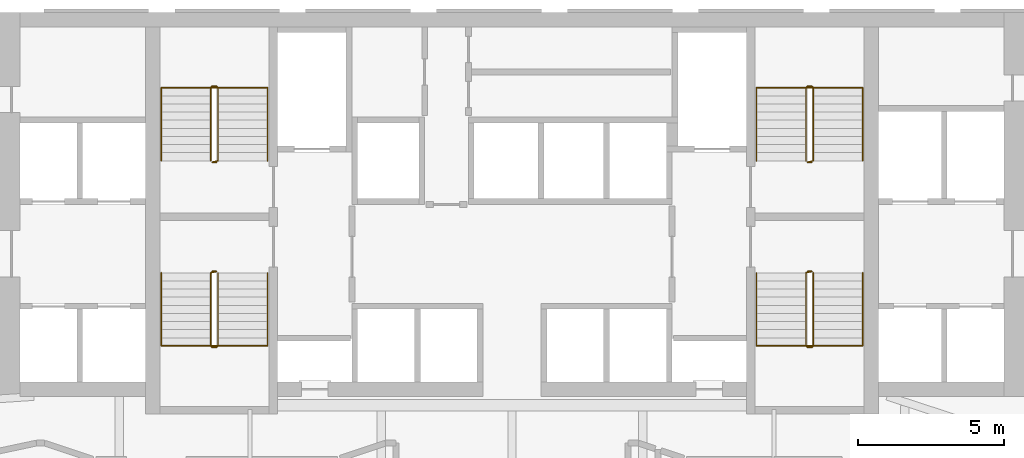
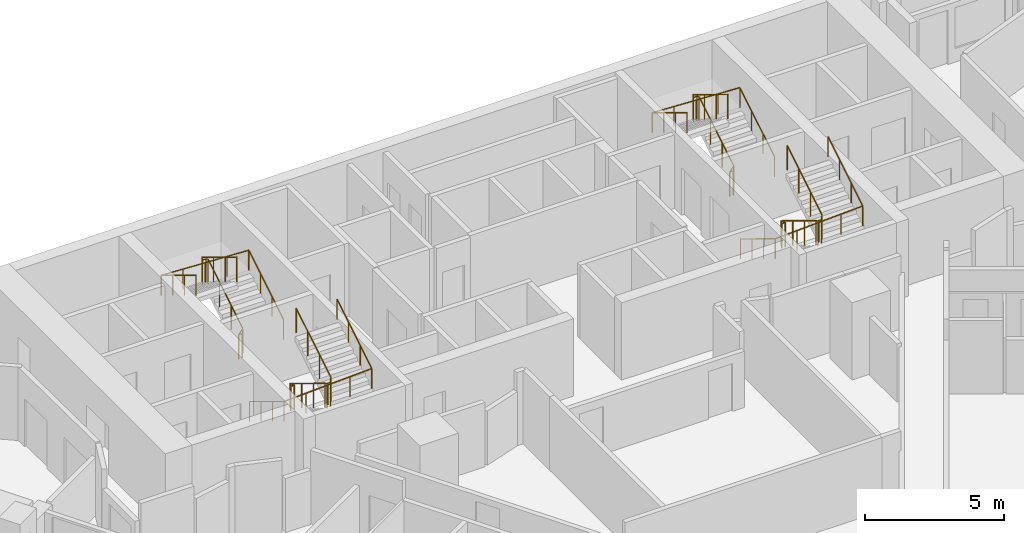
# One storey, part 10 of 10: 8 railings.
"""IFC4 building model written with IfcOpenShell, lengths in metres."""

from ifc_helpers import new_model, si_unit, direction, frame, origin, origin_2d, place, context, subcontext, project, spatial, circle, extrude, material, type_object, element, save


model = new_model("IFC4")

# Units and contexts
model_context = context("Model", 3, precision=1e-05, world=origin(), true_north=direction((0.0, 1.0)))
body_context = subcontext(model_context, "Body", "Model", "MODEL_VIEW")
ifc_project = project(units=[si_unit("LENGTHUNIT", "METRE"), si_unit("AREAUNIT", "SQUARE_METRE"), si_unit("VOLUMEUNIT", "CUBIC_METRE"), si_unit("PLANEANGLEUNIT", "RADIAN"), si_unit("MASSUNIT", "GRAM", prefix="KILO")], contexts=[model_context])

# Site, building, storey
site_placement = place(None, origin())
site = spatial("IfcSite", under=ifc_project, at=site_placement, CompositionType="ELEMENT")
building_placement = place(site_placement, origin())
building = spatial("IfcBuilding", under=site, at=building_placement, Name="Calabash Gate Tower", CompositionType="ELEMENT")
storey_placement = place(building_placement, frame((0.0, 0.0, 59.60009765625)))
storey = spatial("IfcBuildingStorey", under=building, at=storey_placement, Name="L10", CompositionType="ELEMENT", Elevation=59.60009765625)

# Railings
ifc_material_1 = material(Name="Black powder-coated steel balusters", Category="steel")
railing_type_1 = type_object("IfcRailingType", Name="Stair guard RL1100", PredefinedType="GUARDRAIL", material=ifc_material_1)
railing_1_placement = place(storey_placement, frame((-10.14990234375, 13.902587890625, 0.0)))
element("IfcRailing", 1, at=railing_1_placement, inside=storey, type_object=railing_type_1, Name="L10 ST1 stair guard 1", PredefinedType="GUARDRAIL", context=body_context, shape_type="SweptSolid", body=[
    extrude(circle(Radius=0.02392578125, at=origin_2d()), frame((0.0, 0.0, 1.076171875), z_axis=(-1.0, 0.0, 0.0), x_axis=(0.0, -1.0, 0.0)), (0.0, 0.0, 1.0), 0.150146484375),
    extrude(circle(Radius=0.02392578125, at=origin_2d()), frame((-0.150146484375, 0.0, 1.076171875), z_axis=(0.748514443355, 0.187357095101, 0.636100186295), x_axis=(-0.242814311512, 0.970072785993, 0.0)), (0.0, 0.0, 1.0), 0.26708984375),
    extrude(circle(Radius=0.02392578125, at=origin_2d()), frame((0.0498046875, 0.050048828125, 1.24609375), z_axis=(0.0, 0.853956361026, 0.520344629514), x_axis=(-1.0, 0.0, 0.0)), (0.0, 0.0, 1.0), 2.9404296875),
    extrude(circle(Radius=0.02392578125, at=origin_2d()), frame((0.0498046875, 2.56103515625, 2.77587890625), z_axis=(-0.705375805398, 0.708833529934, 0.0), x_axis=(-0.708833529934, -0.705375805398, 0.0)), (0.0, 0.0, 1.0), 0.070556640625),
    extrude(circle(Radius=0.02392578125, at=origin_2d()), frame((0.0, 2.611083984375, 2.77587890625), z_axis=(-1.0, 0.0, 0.0), x_axis=(0.0, -1.0, 0.0)), (0.0, 0.0, 1.0), 0.150146484375),
    extrude(circle(Radius=0.02392578125, at=origin_2d()), frame((-0.150146484375, 2.611083984375, 2.77587890625), z_axis=(-0.271895245746, -0.271895245746, 0.923117517265), x_axis=(0.707106781187, -0.707106781187, 0.0)), (0.0, 0.0, 1.0), 0.18408203125),
    extrude(circle(Radius=0.02392578125, at=origin_2d()), frame((-0.2001953125, 2.56103515625, 2.94580078125), z_axis=(0.0, -0.853956361026, 0.520344629514), x_axis=(1.0, 0.0, 0.0)), (0.0, 0.0, 1.0), 2.9404296875),
    extrude(circle(Radius=0.02099609375, at=origin_2d()), origin(), (0.0, 0.0, 1.0), 1.052001953125),
    extrude(circle(Radius=0.02099609375, at=origin_2d()), frame((-0.150146484375, 0.0, 0.0)), (0.0, 0.0, 1.0), 1.052001953125),
    extrude(circle(Radius=0.02099609375, at=origin_2d()), frame((0.0498046875, 0.050048828125, 0.169921875)), (0.0, 0.0, 1.0), 1.052001953125),
    extrude(circle(Radius=0.02099609375, at=origin_2d()), frame((0.0498046875, 0.886962890625, 0.679931640625)), (0.0, 0.0, 1.0), 1.052001953125),
    extrude(circle(Radius=0.02099609375, at=origin_2d()), frame((0.0498046875, 1.72412109375, 1.18994140625)), (0.0, 0.0, 1.0), 1.052001953125),
    extrude(circle(Radius=0.02099609375, at=origin_2d()), frame((0.0498046875, 2.56103515625, 1.699951171875)), (0.0, 0.0, 1.0), 1.052001953125),
    extrude(circle(Radius=0.02099609375, at=origin_2d()), frame((0.0, 2.611083984375, 1.699951171875)), (0.0, 0.0, 1.0), 1.052001953125),
    extrude(circle(Radius=0.02099609375, at=origin_2d()), frame((-0.150146484375, 2.611083984375, 1.699951171875)), (0.0, 0.0, 1.0), 1.052001953125),
    extrude(circle(Radius=0.02099609375, at=origin_2d()), frame((-0.2001953125, 2.56103515625, 1.869873046875)), (0.0, 0.0, 1.0), 1.052001953125),
    extrude(circle(Radius=0.02099609375, at=origin_2d()), frame((-0.2001953125, 1.72412109375, 2.3798828125)), (0.0, 0.0, 1.0), 1.052001953125),
    extrude(circle(Radius=0.02099609375, at=origin_2d()), frame((-0.2001953125, 0.886962890625, 2.889892578125)), (0.0, 0.0, 1.0), 1.052001953125),
    extrude(circle(Radius=0.02099609375, at=origin_2d()), frame((-0.2001953125, 0.050048828125, 3.39990234375)), (0.0, 0.0, 1.0), 1.052001953125),
])
railing_2_placement = place(storey_placement, frame((-10.300048828125, 10.152587890625, 0.0)))
element("IfcRailing", 2, at=railing_2_placement, inside=storey, type_object=railing_type_1, Name="L10 ST2 stair guard 1", PredefinedType="GUARDRAIL", context=body_context, shape_type="SweptSolid", body=[
    extrude(circle(Radius=0.02392578125, at=origin_2d()), frame((0.0, 0.0, 1.076171875), z_axis=(1.0, 0.0, 0.0), x_axis=(0.0, 1.0, 0.0)), (0.0, 0.0, 1.0), 0.150146484375),
    extrude(circle(Radius=0.02392578125, at=origin_2d()), frame((0.150146484375, 0.0, 1.076171875), z_axis=(-0.748915913269, -0.187228978317, 0.635665214189), x_axis=(0.242535625036, -0.970142500145, 0.0)), (0.0, 0.0, 1.0), 0.267333984375),
    extrude(circle(Radius=0.02392578125, at=origin_2d()), frame((-0.050048828125, -0.050048828125, 1.24609375), z_axis=(0.0, -0.853956361026, 0.520344629514), x_axis=(1.0, 0.0, 0.0)), (0.0, 0.0, 1.0), 2.9404296875),
    extrude(circle(Radius=0.02392578125, at=origin_2d()), frame((-0.050048828125, -2.56103515625, 2.77587890625), z_axis=(0.707106781187, -0.707106781187, 0.0), x_axis=(0.707106781187, 0.707106781187, 0.0)), (0.0, 0.0, 1.0), 0.07080078125),
    extrude(circle(Radius=0.02392578125, at=origin_2d()), frame((0.0, -2.611083984375, 2.77587890625), z_axis=(1.0, 0.0, 0.0), x_axis=(0.0, 1.0, 0.0)), (0.0, 0.0, 1.0), 0.150146484375),
    extrude(circle(Radius=0.02392578125, at=origin_2d()), frame((0.150146484375, -2.611083984375, 2.77587890625), z_axis=(0.270666314514, 0.271993110173, 0.92344977893), x_axis=(-0.708833529934, 0.705375805398, 0.0)), (0.0, 0.0, 1.0), 0.18408203125),
    extrude(circle(Radius=0.02392578125, at=origin_2d()), frame((0.199951171875, -2.56103515625, 2.94580078125), z_axis=(0.0, 0.853956361026, 0.520344629514), x_axis=(-1.0, 0.0, 0.0)), (0.0, 0.0, 1.0), 2.9404296875),
    extrude(circle(Radius=0.02099609375, at=origin_2d()), origin(), (0.0, 0.0, 1.0), 1.052001953125),
    extrude(circle(Radius=0.02099609375, at=origin_2d()), frame((0.150146484375, 0.0, 0.0)), (0.0, 0.0, 1.0), 1.052001953125),
    extrude(circle(Radius=0.02099609375, at=origin_2d()), frame((-0.050048828125, -0.050048828125, 0.169921875)), (0.0, 0.0, 1.0), 1.052001953125),
    extrude(circle(Radius=0.02099609375, at=origin_2d()), frame((-0.050048828125, -0.886962890625, 0.679931640625)), (0.0, 0.0, 1.0), 1.052001953125),
    extrude(circle(Radius=0.02099609375, at=origin_2d()), frame((-0.050048828125, -1.72412109375, 1.18994140625)), (0.0, 0.0, 1.0), 1.052001953125),
    extrude(circle(Radius=0.02099609375, at=origin_2d()), frame((-0.050048828125, -2.56103515625, 1.699951171875)), (0.0, 0.0, 1.0), 1.052001953125),
    extrude(circle(Radius=0.02099609375, at=origin_2d()), frame((0.0, -2.611083984375, 1.699951171875)), (0.0, 0.0, 1.0), 1.052001953125),
    extrude(circle(Radius=0.02099609375, at=origin_2d()), frame((0.150146484375, -2.611083984375, 1.699951171875)), (0.0, 0.0, 1.0), 1.052001953125),
    extrude(circle(Radius=0.02099609375, at=origin_2d()), frame((0.199951171875, -2.56103515625, 1.869873046875)), (0.0, 0.0, 1.0), 1.052001953125),
    extrude(circle(Radius=0.02099609375, at=origin_2d()), frame((0.199951171875, -1.72412109375, 2.3798828125)), (0.0, 0.0, 1.0), 1.052001953125),
    extrude(circle(Radius=0.02099609375, at=origin_2d()), frame((0.199951171875, -0.886962890625, 2.889892578125)), (0.0, 0.0, 1.0), 1.052001953125),
    extrude(circle(Radius=0.02099609375, at=origin_2d()), frame((0.199951171875, -0.050048828125, 3.39990234375)), (0.0, 0.0, 1.0), 1.052001953125),
])
railing_3_placement = place(storey_placement, frame((10.300048828125, 13.902587890625, 0.0)))
element("IfcRailing", 3, at=railing_3_placement, inside=storey, type_object=railing_type_1, Name="L10 ST3 stair guard 1", PredefinedType="GUARDRAIL", context=body_context, shape_type="SweptSolid", body=[
    extrude(circle(Radius=0.02392578125, at=origin_2d()), frame((0.0, 0.0, 1.076171875), z_axis=(-1.0, 0.0, 0.0), x_axis=(0.0, -1.0, 0.0)), (0.0, 0.0, 1.0), 0.150146484375),
    extrude(circle(Radius=0.02392578125, at=origin_2d()), frame((-0.150146484375, 0.0, 1.076171875), z_axis=(0.748915913269, 0.187228978317, 0.635665214189), x_axis=(-0.242535625036, 0.970142500145, 0.0)), (0.0, 0.0, 1.0), 0.267333984375),
    extrude(circle(Radius=0.02392578125, at=origin_2d()), frame((0.050048828125, 0.050048828125, 1.24609375), z_axis=(0.0, 0.853956361026, 0.520344629514), x_axis=(-1.0, 0.0, 0.0)), (0.0, 0.0, 1.0), 2.9404296875),
    extrude(circle(Radius=0.02392578125, at=origin_2d()), frame((0.050048828125, 2.56103515625, 2.77587890625), z_axis=(-0.707106781187, 0.707106781187, 0.0), x_axis=(-0.707106781187, -0.707106781187, 0.0)), (0.0, 0.0, 1.0), 0.07080078125),
    extrude(circle(Radius=0.02392578125, at=origin_2d()), frame((0.0, 2.611083984375, 2.77587890625), z_axis=(-1.0, 0.0, 0.0), x_axis=(0.0, -1.0, 0.0)), (0.0, 0.0, 1.0), 0.150146484375),
    extrude(circle(Radius=0.02392578125, at=origin_2d()), frame((-0.150146484375, 2.611083984375, 2.77587890625), z_axis=(-0.270666314514, -0.271993110173, 0.92344977893), x_axis=(0.708833529934, -0.705375805398, 0.0)), (0.0, 0.0, 1.0), 0.18408203125),
    extrude(circle(Radius=0.02392578125, at=origin_2d()), frame((-0.199951171875, 2.56103515625, 2.94580078125), z_axis=(0.0, -0.853956361026, 0.520344629514), x_axis=(1.0, 0.0, 0.0)), (0.0, 0.0, 1.0), 2.9404296875),
    extrude(circle(Radius=0.02099609375, at=origin_2d()), origin(), (0.0, 0.0, 1.0), 1.052001953125),
    extrude(circle(Radius=0.02099609375, at=origin_2d()), frame((-0.150146484375, 0.0, 0.0)), (0.0, 0.0, 1.0), 1.052001953125),
    extrude(circle(Radius=0.02099609375, at=origin_2d()), frame((0.050048828125, 0.050048828125, 0.169921875)), (0.0, 0.0, 1.0), 1.052001953125),
    extrude(circle(Radius=0.02099609375, at=origin_2d()), frame((0.050048828125, 0.886962890625, 0.679931640625)), (0.0, 0.0, 1.0), 1.052001953125),
    extrude(circle(Radius=0.02099609375, at=origin_2d()), frame((0.050048828125, 1.72412109375, 1.18994140625)), (0.0, 0.0, 1.0), 1.052001953125),
    extrude(circle(Radius=0.02099609375, at=origin_2d()), frame((0.050048828125, 2.56103515625, 1.699951171875)), (0.0, 0.0, 1.0), 1.052001953125),
    extrude(circle(Radius=0.02099609375, at=origin_2d()), frame((0.0, 2.611083984375, 1.699951171875)), (0.0, 0.0, 1.0), 1.052001953125),
    extrude(circle(Radius=0.02099609375, at=origin_2d()), frame((-0.150146484375, 2.611083984375, 1.699951171875)), (0.0, 0.0, 1.0), 1.052001953125),
    extrude(circle(Radius=0.02099609375, at=origin_2d()), frame((-0.199951171875, 2.56103515625, 1.869873046875)), (0.0, 0.0, 1.0), 1.052001953125),
    extrude(circle(Radius=0.02099609375, at=origin_2d()), frame((-0.199951171875, 1.72412109375, 2.3798828125)), (0.0, 0.0, 1.0), 1.052001953125),
    extrude(circle(Radius=0.02099609375, at=origin_2d()), frame((-0.199951171875, 0.886962890625, 2.889892578125)), (0.0, 0.0, 1.0), 1.052001953125),
    extrude(circle(Radius=0.02099609375, at=origin_2d()), frame((-0.199951171875, 0.050048828125, 3.39990234375)), (0.0, 0.0, 1.0), 1.052001953125),
])
railing_4_placement = place(storey_placement, frame((10.14990234375, 10.152587890625, 0.0)))
element("IfcRailing", 4, at=railing_4_placement, inside=storey, type_object=railing_type_1, Name="L10 ST4 stair guard 1", PredefinedType="GUARDRAIL", context=body_context, shape_type="SweptSolid", body=[
    extrude(circle(Radius=0.02392578125, at=origin_2d()), frame((0.0, 0.0, 1.076171875), z_axis=(1.0, 0.0, 0.0), x_axis=(0.0, 1.0, 0.0)), (0.0, 0.0, 1.0), 0.150146484375),
    extrude(circle(Radius=0.02392578125, at=origin_2d()), frame((0.150146484375, 0.0, 1.076171875), z_axis=(-0.748514443355, -0.187357095101, 0.636100186295), x_axis=(0.242814311512, -0.970072785993, 0.0)), (0.0, 0.0, 1.0), 0.26708984375),
    extrude(circle(Radius=0.02392578125, at=origin_2d()), frame((-0.0498046875, -0.050048828125, 1.24609375), z_axis=(0.0, -0.853956361026, 0.520344629514), x_axis=(1.0, 0.0, 0.0)), (0.0, 0.0, 1.0), 2.9404296875),
    extrude(circle(Radius=0.02392578125, at=origin_2d()), frame((-0.0498046875, -2.56103515625, 2.77587890625), z_axis=(0.705375805398, -0.708833529934, 0.0), x_axis=(0.708833529934, 0.705375805398, 0.0)), (0.0, 0.0, 1.0), 0.070556640625),
    extrude(circle(Radius=0.02392578125, at=origin_2d()), frame((0.0, -2.611083984375, 2.77587890625), z_axis=(1.0, 0.0, 0.0), x_axis=(0.0, 1.0, 0.0)), (0.0, 0.0, 1.0), 0.150146484375),
    extrude(circle(Radius=0.02392578125, at=origin_2d()), frame((0.150146484375, -2.611083984375, 2.77587890625), z_axis=(0.271895245746, 0.271895245746, 0.923117517265), x_axis=(-0.707106781187, 0.707106781187, 0.0)), (0.0, 0.0, 1.0), 0.18408203125),
    extrude(circle(Radius=0.02392578125, at=origin_2d()), frame((0.2001953125, -2.56103515625, 2.94580078125), z_axis=(0.0, 0.853956361026, 0.520344629514), x_axis=(-1.0, 0.0, 0.0)), (0.0, 0.0, 1.0), 2.9404296875),
    extrude(circle(Radius=0.02099609375, at=origin_2d()), origin(), (0.0, 0.0, 1.0), 1.052001953125),
    extrude(circle(Radius=0.02099609375, at=origin_2d()), frame((0.150146484375, 0.0, 0.0)), (0.0, 0.0, 1.0), 1.052001953125),
    extrude(circle(Radius=0.02099609375, at=origin_2d()), frame((-0.0498046875, -0.050048828125, 0.169921875)), (0.0, 0.0, 1.0), 1.052001953125),
    extrude(circle(Radius=0.02099609375, at=origin_2d()), frame((-0.0498046875, -0.886962890625, 0.679931640625)), (0.0, 0.0, 1.0), 1.052001953125),
    extrude(circle(Radius=0.02099609375, at=origin_2d()), frame((-0.0498046875, -1.72412109375, 1.18994140625)), (0.0, 0.0, 1.0), 1.052001953125),
    extrude(circle(Radius=0.02099609375, at=origin_2d()), frame((-0.0498046875, -2.56103515625, 1.699951171875)), (0.0, 0.0, 1.0), 1.052001953125),
    extrude(circle(Radius=0.02099609375, at=origin_2d()), frame((0.0, -2.611083984375, 1.699951171875)), (0.0, 0.0, 1.0), 1.052001953125),
    extrude(circle(Radius=0.02099609375, at=origin_2d()), frame((0.150146484375, -2.611083984375, 1.699951171875)), (0.0, 0.0, 1.0), 1.052001953125),
    extrude(circle(Radius=0.02099609375, at=origin_2d()), frame((0.2001953125, -2.56103515625, 1.869873046875)), (0.0, 0.0, 1.0), 1.052001953125),
    extrude(circle(Radius=0.02099609375, at=origin_2d()), frame((0.2001953125, -1.72412109375, 2.3798828125)), (0.0, 0.0, 1.0), 1.052001953125),
    extrude(circle(Radius=0.02099609375, at=origin_2d()), frame((0.2001953125, -0.886962890625, 2.889892578125)), (0.0, 0.0, 1.0), 1.052001953125),
    extrude(circle(Radius=0.02099609375, at=origin_2d()), frame((0.2001953125, -0.050048828125, 3.39990234375)), (0.0, 0.0, 1.0), 1.052001953125),
])
ifc_material_2 = material(Name="Black powder-coated steel tube 48 mm", Category="steel")
railing_type_2 = type_object("IfcRailingType", Name="Stair handrail RL900", PredefinedType="HANDRAIL", material=ifc_material_2)
railing_5_placement = place(storey_placement, frame((-8.39990234375, 13.95263671875, 0.169921875)))
element("IfcRailing", 5, at=railing_5_placement, inside=storey, type_object=railing_type_2, Name="L10 ST1 stair handrail 1", PredefinedType="HANDRAIL", context=body_context, shape_type="SweptSolid", body=[
    extrude(circle(Radius=0.02392578125, at=origin_2d()), frame((0.0, 0.0, 0.8759765625), z_axis=(0.0, 0.853956361026, 0.520344629514), x_axis=(-1.0, 0.0, 0.0)), (0.0, 0.0, 1.0), 2.9404296875),
    extrude(circle(Radius=0.02392578125, at=origin_2d()), frame((0.0, 2.510986328125, 2.40576171875), z_axis=(-0.998918210324, 0.0, 0.046501710547), x_axis=(0.0, -1.0, 0.0)), (0.0, 0.0, 1.0), 3.654052734375),
    extrude(circle(Radius=0.02392578125, at=origin_2d()), frame((-3.650146484375, 2.510986328125, 2.57568359375), z_axis=(0.0, -0.853956361026, 0.520344629514), x_axis=(1.0, 0.0, 0.0)), (0.0, 0.0, 1.0), 2.9404296875),
    extrude(circle(Radius=0.02099609375, at=origin_2d()), origin(), (0.0, 0.0, 1.0), 0.851806640625),
    extrude(circle(Radius=0.02099609375, at=origin_2d()), frame((0.0, 0.8369140625, 0.510009765625)), (0.0, 0.0, 1.0), 0.851806640625),
    extrude(circle(Radius=0.02099609375, at=origin_2d()), frame((0.0, 1.674072265625, 1.02001953125)), (0.0, 0.0, 1.0), 0.851806640625),
    extrude(circle(Radius=0.02099609375, at=origin_2d()), frame((0.0, 2.510986328125, 1.530029296875)), (0.0, 0.0, 1.0), 0.851806640625),
    extrude(circle(Radius=0.02099609375, at=origin_2d()), frame((-0.91259765625, 2.510986328125, 1.572509765625)), (0.0, 0.0, 1.0), 0.851806640625),
    extrude(circle(Radius=0.02099609375, at=origin_2d()), frame((-1.8251953125, 2.510986328125, 1.614990234375)), (0.0, 0.0, 1.0), 0.851806640625),
    extrude(circle(Radius=0.02099609375, at=origin_2d()), frame((-2.737548828125, 2.510986328125, 1.657470703125)), (0.0, 0.0, 1.0), 0.851806640625),
    extrude(circle(Radius=0.02099609375, at=origin_2d()), frame((-3.650146484375, 2.510986328125, 1.699951171875)), (0.0, 0.0, 1.0), 0.851806640625),
    extrude(circle(Radius=0.02099609375, at=origin_2d()), frame((-3.650146484375, 1.674072265625, 2.2099609375)), (0.0, 0.0, 1.0), 0.851806640625),
    extrude(circle(Radius=0.02099609375, at=origin_2d()), frame((-3.650146484375, 0.8369140625, 2.719970703125)), (0.0, 0.0, 1.0), 0.851806640625),
    extrude(circle(Radius=0.02099609375, at=origin_2d()), frame((-3.650146484375, 0.0, 3.22998046875)), (0.0, 0.0, 1.0), 0.851806640625),
])
railing_6_placement = place(storey_placement, frame((-12.050048828125, 10.1025390625, 0.169921875)))
element("IfcRailing", 6, at=railing_6_placement, inside=storey, type_object=railing_type_2, Name="L10 ST2 stair handrail 1", PredefinedType="HANDRAIL", context=body_context, shape_type="SweptSolid", body=[
    extrude(circle(Radius=0.02392578125, at=origin_2d()), frame((0.0, 0.0, 0.8759765625), z_axis=(0.0, -0.853956361026, 0.520344629514), x_axis=(1.0, 0.0, 0.0)), (0.0, 0.0, 1.0), 2.9404296875),
    extrude(circle(Radius=0.02392578125, at=origin_2d()), frame((0.0, -2.510986328125, 2.40576171875), z_axis=(0.998918210324, 0.0, 0.046501710547), x_axis=(0.0, 1.0, 0.0)), (0.0, 0.0, 1.0), 3.654052734375),
    extrude(circle(Radius=0.02392578125, at=origin_2d()), frame((3.650146484375, -2.510986328125, 2.57568359375), z_axis=(0.0, 0.853956361026, 0.520344629514), x_axis=(-1.0, 0.0, 0.0)), (0.0, 0.0, 1.0), 2.9404296875),
    extrude(circle(Radius=0.02099609375, at=origin_2d()), origin(), (0.0, 0.0, 1.0), 0.851806640625),
    extrude(circle(Radius=0.02099609375, at=origin_2d()), frame((0.0, -0.8369140625, 0.510009765625)), (0.0, 0.0, 1.0), 0.851806640625),
    extrude(circle(Radius=0.02099609375, at=origin_2d()), frame((0.0, -1.674072265625, 1.02001953125)), (0.0, 0.0, 1.0), 0.851806640625),
    extrude(circle(Radius=0.02099609375, at=origin_2d()), frame((0.0, -2.510986328125, 1.530029296875)), (0.0, 0.0, 1.0), 0.851806640625),
    extrude(circle(Radius=0.02099609375, at=origin_2d()), frame((0.91259765625, -2.510986328125, 1.572509765625)), (0.0, 0.0, 1.0), 0.851806640625),
    extrude(circle(Radius=0.02099609375, at=origin_2d()), frame((1.8251953125, -2.510986328125, 1.614990234375)), (0.0, 0.0, 1.0), 0.851806640625),
    extrude(circle(Radius=0.02099609375, at=origin_2d()), frame((2.737548828125, -2.510986328125, 1.657470703125)), (0.0, 0.0, 1.0), 0.851806640625),
    extrude(circle(Radius=0.02099609375, at=origin_2d()), frame((3.650146484375, -2.510986328125, 1.699951171875)), (0.0, 0.0, 1.0), 0.851806640625),
    extrude(circle(Radius=0.02099609375, at=origin_2d()), frame((3.650146484375, -1.674072265625, 2.2099609375)), (0.0, 0.0, 1.0), 0.851806640625),
    extrude(circle(Radius=0.02099609375, at=origin_2d()), frame((3.650146484375, -0.8369140625, 2.719970703125)), (0.0, 0.0, 1.0), 0.851806640625),
    extrude(circle(Radius=0.02099609375, at=origin_2d()), frame((3.650146484375, 0.0, 3.22998046875)), (0.0, 0.0, 1.0), 0.851806640625),
])
railing_7_placement = place(storey_placement, frame((12.050048828125, 13.95263671875, 0.169921875)))
element("IfcRailing", 7, at=railing_7_placement, inside=storey, type_object=railing_type_2, Name="L10 ST3 stair handrail 1", PredefinedType="HANDRAIL", context=body_context, shape_type="SweptSolid", body=[
    extrude(circle(Radius=0.02392578125, at=origin_2d()), frame((0.0, 0.0, 0.8759765625), z_axis=(0.0, 0.853956361026, 0.520344629514), x_axis=(-1.0, 0.0, 0.0)), (0.0, 0.0, 1.0), 2.9404296875),
    extrude(circle(Radius=0.02392578125, at=origin_2d()), frame((0.0, 2.510986328125, 2.40576171875), z_axis=(-0.998918210324, 0.0, 0.046501710547), x_axis=(0.0, -1.0, 0.0)), (0.0, 0.0, 1.0), 3.654052734375),
    extrude(circle(Radius=0.02392578125, at=origin_2d()), frame((-3.650146484375, 2.510986328125, 2.57568359375), z_axis=(0.0, -0.853956361026, 0.520344629514), x_axis=(1.0, 0.0, 0.0)), (0.0, 0.0, 1.0), 2.9404296875),
    extrude(circle(Radius=0.02099609375, at=origin_2d()), origin(), (0.0, 0.0, 1.0), 0.851806640625),
    extrude(circle(Radius=0.02099609375, at=origin_2d()), frame((0.0, 0.8369140625, 0.510009765625)), (0.0, 0.0, 1.0), 0.851806640625),
    extrude(circle(Radius=0.02099609375, at=origin_2d()), frame((0.0, 1.674072265625, 1.02001953125)), (0.0, 0.0, 1.0), 0.851806640625),
    extrude(circle(Radius=0.02099609375, at=origin_2d()), frame((0.0, 2.510986328125, 1.530029296875)), (0.0, 0.0, 1.0), 0.851806640625),
    extrude(circle(Radius=0.02099609375, at=origin_2d()), frame((-0.91259765625, 2.510986328125, 1.572509765625)), (0.0, 0.0, 1.0), 0.851806640625),
    extrude(circle(Radius=0.02099609375, at=origin_2d()), frame((-1.8251953125, 2.510986328125, 1.614990234375)), (0.0, 0.0, 1.0), 0.851806640625),
    extrude(circle(Radius=0.02099609375, at=origin_2d()), frame((-2.737548828125, 2.510986328125, 1.657470703125)), (0.0, 0.0, 1.0), 0.851806640625),
    extrude(circle(Radius=0.02099609375, at=origin_2d()), frame((-3.650146484375, 2.510986328125, 1.699951171875)), (0.0, 0.0, 1.0), 0.851806640625),
    extrude(circle(Radius=0.02099609375, at=origin_2d()), frame((-3.650146484375, 1.674072265625, 2.2099609375)), (0.0, 0.0, 1.0), 0.851806640625),
    extrude(circle(Radius=0.02099609375, at=origin_2d()), frame((-3.650146484375, 0.8369140625, 2.719970703125)), (0.0, 0.0, 1.0), 0.851806640625),
    extrude(circle(Radius=0.02099609375, at=origin_2d()), frame((-3.650146484375, 0.0, 3.22998046875)), (0.0, 0.0, 1.0), 0.851806640625),
])
railing_8_placement = place(storey_placement, frame((8.39990234375, 10.1025390625, 0.169921875)))
element("IfcRailing", 8, at=railing_8_placement, inside=storey, type_object=railing_type_2, Name="L10 ST4 stair handrail 1", PredefinedType="HANDRAIL", context=body_context, shape_type="SweptSolid", body=[
    extrude(circle(Radius=0.02392578125, at=origin_2d()), frame((0.0, 0.0, 0.8759765625), z_axis=(0.0, -0.853956361026, 0.520344629514), x_axis=(1.0, 0.0, 0.0)), (0.0, 0.0, 1.0), 2.9404296875),
    extrude(circle(Radius=0.02392578125, at=origin_2d()), frame((0.0, -2.510986328125, 2.40576171875), z_axis=(0.998918210324, 0.0, 0.046501710547), x_axis=(0.0, 1.0, 0.0)), (0.0, 0.0, 1.0), 3.654052734375),
    extrude(circle(Radius=0.02392578125, at=origin_2d()), frame((3.650146484375, -2.510986328125, 2.57568359375), z_axis=(0.0, 0.853956361026, 0.520344629514), x_axis=(-1.0, 0.0, 0.0)), (0.0, 0.0, 1.0), 2.9404296875),
    extrude(circle(Radius=0.02099609375, at=origin_2d()), origin(), (0.0, 0.0, 1.0), 0.851806640625),
    extrude(circle(Radius=0.02099609375, at=origin_2d()), frame((0.0, -0.8369140625, 0.510009765625)), (0.0, 0.0, 1.0), 0.851806640625),
    extrude(circle(Radius=0.02099609375, at=origin_2d()), frame((0.0, -1.674072265625, 1.02001953125)), (0.0, 0.0, 1.0), 0.851806640625),
    extrude(circle(Radius=0.02099609375, at=origin_2d()), frame((0.0, -2.510986328125, 1.530029296875)), (0.0, 0.0, 1.0), 0.851806640625),
    extrude(circle(Radius=0.02099609375, at=origin_2d()), frame((0.91259765625, -2.510986328125, 1.572509765625)), (0.0, 0.0, 1.0), 0.851806640625),
    extrude(circle(Radius=0.02099609375, at=origin_2d()), frame((1.8251953125, -2.510986328125, 1.614990234375)), (0.0, 0.0, 1.0), 0.851806640625),
    extrude(circle(Radius=0.02099609375, at=origin_2d()), frame((2.737548828125, -2.510986328125, 1.657470703125)), (0.0, 0.0, 1.0), 0.851806640625),
    extrude(circle(Radius=0.02099609375, at=origin_2d()), frame((3.650146484375, -2.510986328125, 1.699951171875)), (0.0, 0.0, 1.0), 0.851806640625),
    extrude(circle(Radius=0.02099609375, at=origin_2d()), frame((3.650146484375, -1.674072265625, 2.2099609375)), (0.0, 0.0, 1.0), 0.851806640625),
    extrude(circle(Radius=0.02099609375, at=origin_2d()), frame((3.650146484375, -0.8369140625, 2.719970703125)), (0.0, 0.0, 1.0), 0.851806640625),
    extrude(circle(Radius=0.02099609375, at=origin_2d()), frame((3.650146484375, 0.0, 3.22998046875)), (0.0, 0.0, 1.0), 0.851806640625),
])

save(model, "model.ifc")
